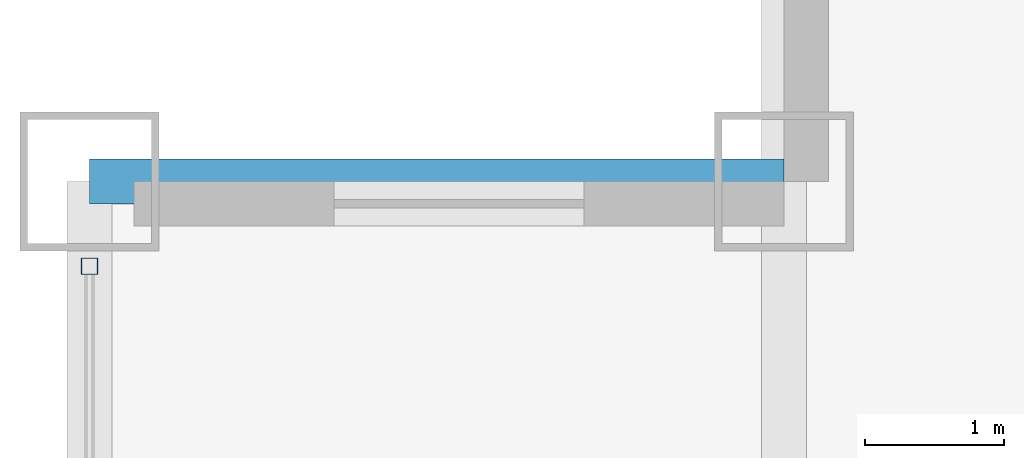
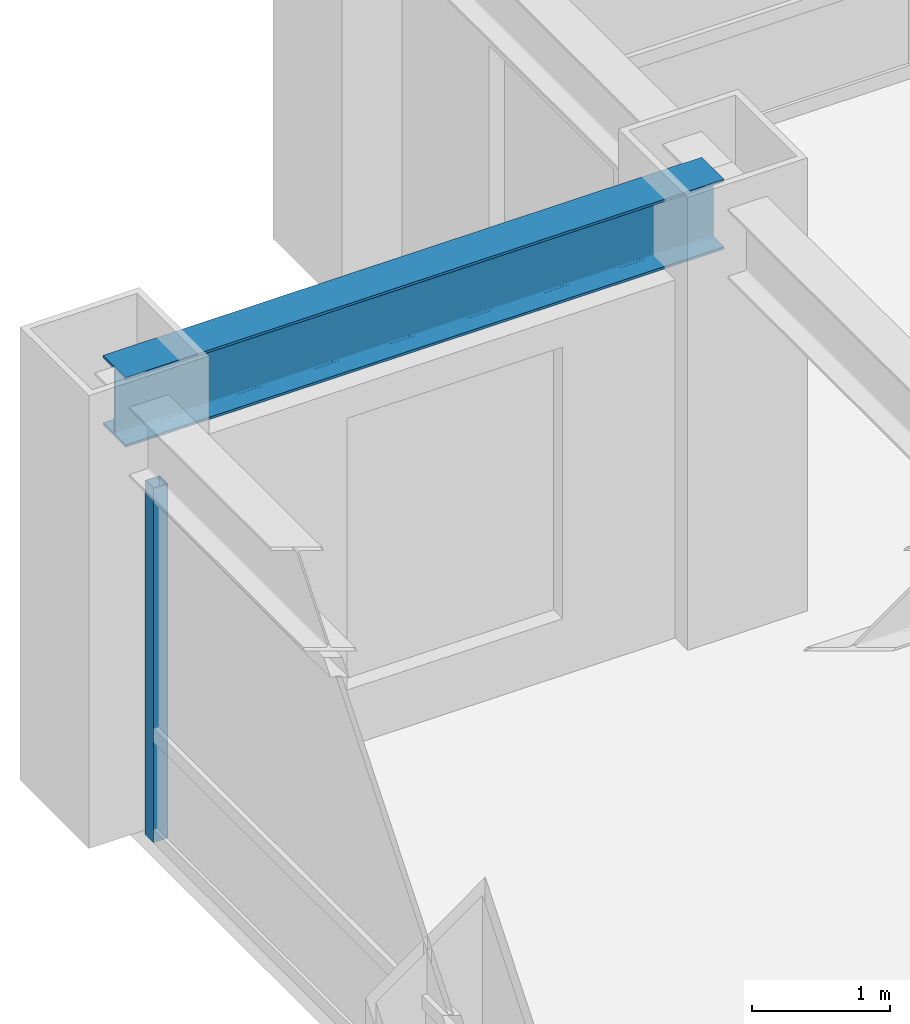
# One storey, part 12 of 25: 1 beam, 1 member, 1 element without a shape of its own.
"""IFC4 building model written with IfcOpenShell, lengths in metres."""

from ifc_helpers import new_model, si_unit, direction, frame, origin, origin_2d, place, context, subcontext, project, spatial, hollow_rectangle, i_section, extrude, source, transform, mapped, material, material_profile, profile_set, type_object, element, aggregate, save


model = new_model("IFC4")

# Units and contexts
model_context = context("Model", 3, precision=1e-05, world=origin(), true_north=direction((0.0, 1.0)))
body_context = subcontext(model_context, "Body", "Model", "MODEL_VIEW")
ifc_project = project(units=[si_unit("LENGTHUNIT", "METRE"), si_unit("AREAUNIT", "SQUARE_METRE"), si_unit("VOLUMEUNIT", "CUBIC_METRE"), si_unit("PLANEANGLEUNIT", "RADIAN"), si_unit("MASSUNIT", "GRAM", prefix="KILO")], contexts=[model_context])

# Site, building, storey
site_placement = place(None, origin())
site = spatial("IfcSite", under=ifc_project, at=site_placement, CompositionType="ELEMENT")
building_placement = place(site_placement, origin())
building = spatial("IfcBuilding", under=site, at=building_placement, Name="Khorayat Bourse Tower", CompositionType="ELEMENT")
storey_placement = place(building_placement, frame((0.0, 0.0, 227.10009765625)))
storey = spatial("IfcBuildingStorey", under=building, at=storey_placement, Name="L53", CompositionType="ELEMENT", Elevation=227.10009765625)

# Beam
ifc_material_1 = material(Name="Steel ASTM A992 Grade 50", Category="steel")
ifc_material_profile_1 = material_profile(ifc_material_1, i_section(OverallWidth=0.324951171875, OverallDepth=0.615966796875, WebThickness=0.013916015625, FlangeThickness=0.021484375, FilletRadius=0.01611328125, at=origin_2d()), Name="W610X174")
ifc_profile_set_1 = profile_set([ifc_material_profile_1], Name="Steel ASTM A992 Grade 50")
beam_type = type_object("IfcBeamType", Name="BM-SPAN-610", PredefinedType="SPANDREL", material=ifc_profile_set_1)
shared_shape_1 = source(origin(), body_context, "Body", "SweptSolid", [
    extrude(i_section(OverallWidth=0.324951171875, OverallDepth=0.615966796875, WebThickness=0.013916015625, FlangeThickness=0.021484375, FilletRadius=0.01611328125, at=origin_2d()), origin(), (0.0, 0.0, 1.0), 5.0),
])
beam_placement = place(storey_placement, frame((-30.0, 25.0, 3.471923828125), z_axis=(1.0, 0.0, 0.0), x_axis=(0.0, 1.0, 0.0)))
element("IfcBeam", 1, at=beam_placement, inside=storey, type_object=beam_type, Name="L53 BM-SPAN-610 BM-L53-SPN-053", PredefinedType="SPANDREL", context=body_context, shape_type="MappedRepresentation", body=[
    mapped(shared_shape_1, transform((0.0, 0.0, 0.0), scale=1.0)),
])

# Curtain wall, member
ifc_material_2 = material(Name="Aluminium EN AW-6063 T6", Category="aluminium")
curtain_wall_type = type_object("IfcCurtainWallType", Name="CW-SYS-03", PredefinedType="NOTDEFINED", material=ifc_material_2)
curtain_wall_placement = place(storey_placement, origin())
curtain_wall = element("IfcCurtainWall", 2, at=curtain_wall_placement, inside=storey, type_object=curtain_wall_type, Name="L53 Curtain Wall CW-L53-W1", PredefinedType="NOTDEFINED")
ifc_material_profile_2 = material_profile(ifc_material_2, hollow_rectangle(XDim=0.1201171875, YDim=0.1201171875, WallThickness=0.0048828125, at=origin_2d()), Name="ALU 120x120x5")
ifc_profile_set_2 = profile_set([ifc_material_profile_2], Name="Aluminium EN AW-6063 T6")
member_type = type_object("IfcMemberType", Name="CWM-VERT-120", PredefinedType="MULLION", material=ifc_profile_set_2)
shared_shape_2 = source(origin(), body_context, "Body", "SweptSolid", [
    extrude(hollow_rectangle(XDim=0.1201171875, YDim=0.1201171875, WallThickness=0.0048828125, at=origin_2d()), origin(), (0.0, 0.0, 1.0), 3.1298828125),
])
member_placement = place(storey_placement, frame((-30.0, 24.389892578125, 0.0), z_axis=(0.0, 0.0, 1.0), x_axis=(-1.0, 0.0, 0.0)))
member = element("IfcMember", 3, at=member_placement, type_object=member_type, Name="CW-L53-W1 Vertical Mullion 3", PredefinedType="MULLION", context=body_context, shape_type="MappedRepresentation", body=[
    mapped(shared_shape_2, transform((0.0, 0.0, 0.0), scale=1.0)),
])
aggregate(curtain_wall, [member])

save(model, "model.ifc")
